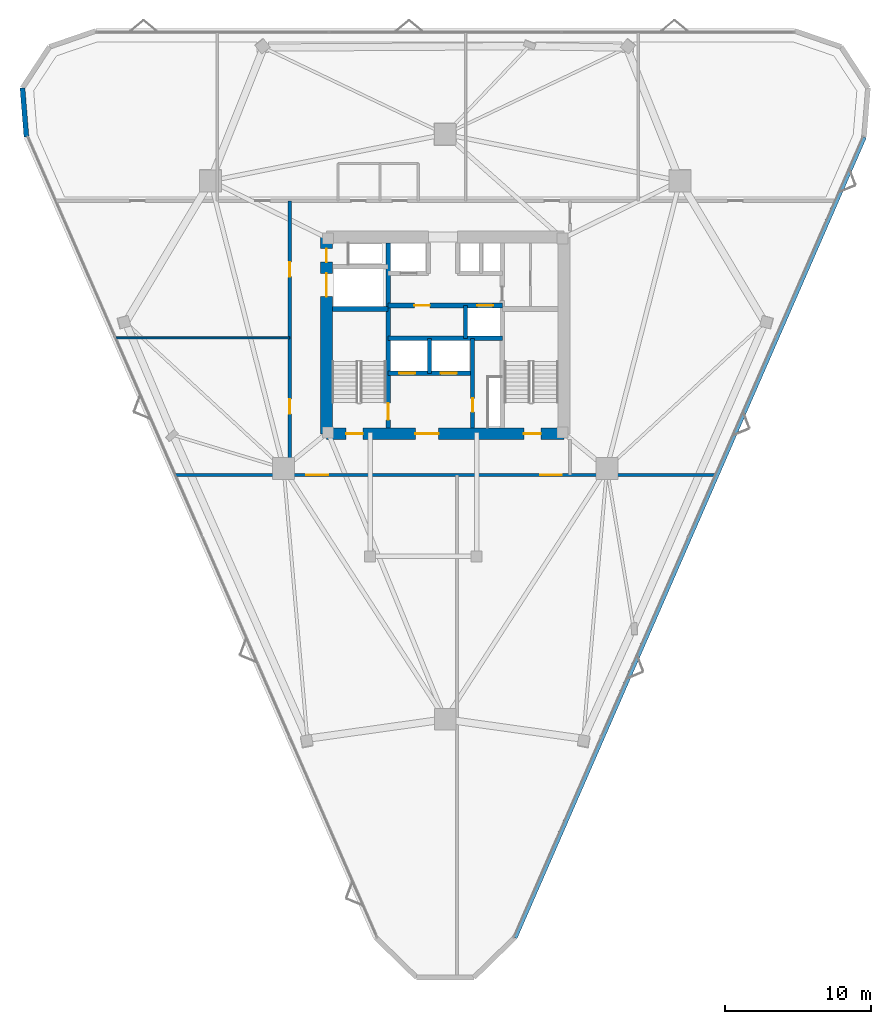
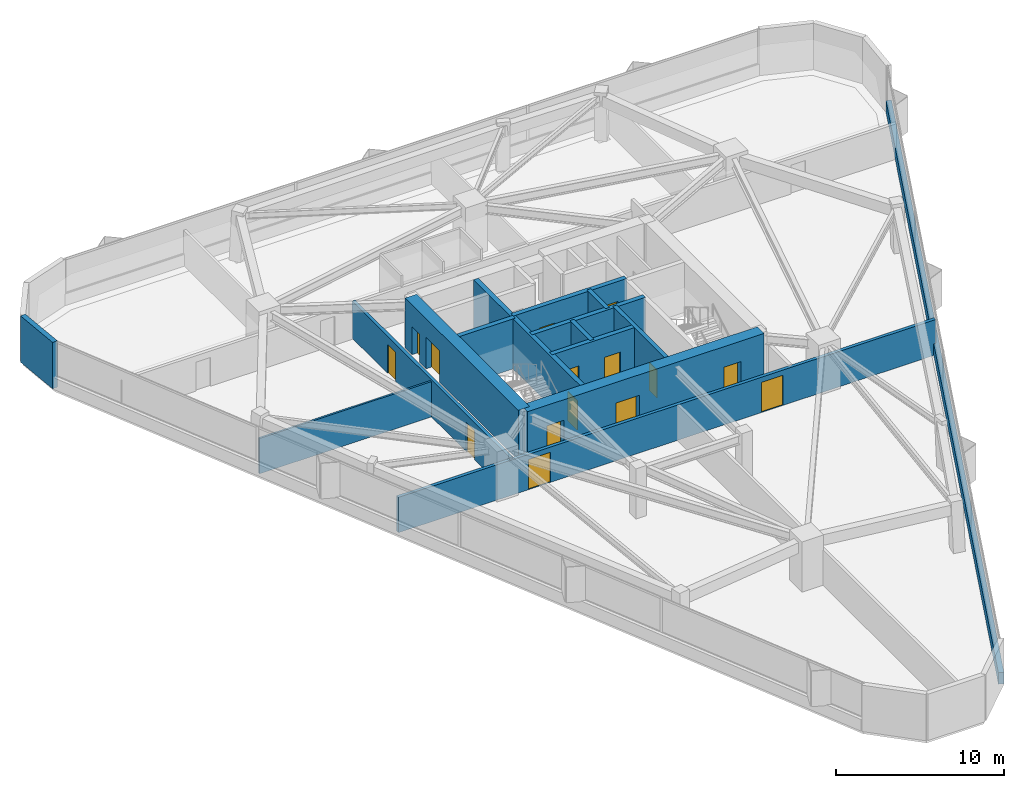
# One storey, part 12 of 16: 15 doors, 15 walls, 15 openings.
"""IFC4 building model written with IfcOpenShell, lengths in metres."""

from ifc_helpers import new_model, si_unit, direction, frame, frame_2d, origin, place, context, subcontext, project, spatial, rectangle, extrude, material, layer, layer_set, type_object, element, fill, save


model = new_model("IFC4")

# Units and contexts
model_context = context("Model", 3, precision=1e-05, world=origin(), true_north=direction((0.0, 1.0)))
body_context = subcontext(model_context, "Body", "Model", "MODEL_VIEW")
ifc_project = project(units=[si_unit("LENGTHUNIT", "METRE"), si_unit("AREAUNIT", "SQUARE_METRE"), si_unit("VOLUMEUNIT", "CUBIC_METRE"), si_unit("PLANEANGLEUNIT", "RADIAN"), si_unit("MASSUNIT", "GRAM", prefix="KILO")], contexts=[model_context])

# Site, building, storey
site_placement = place(None, origin())
site = spatial("IfcSite", under=ifc_project, at=site_placement, CompositionType="ELEMENT")
building_placement = place(site_placement, origin())
building = spatial("IfcBuilding", under=site, at=building_placement, Name="Talyreon Biosciences Tower", CompositionType="ELEMENT")
storey_placement = place(building_placement, frame((0.0, 0.0, 134.5)))
storey = spatial("IfcBuildingStorey", under=building, at=storey_placement, Name="L35", CompositionType="ELEMENT", Elevation=134.5)

# Wall
ifc_material_1 = material(Name="Concrete C50/60", Category="concrete")
ifc_layer_1 = layer(ifc_material_1, 0.280029296875)
ifc_layer_set_1 = layer_set([ifc_layer_1], Name="Concrete C50/60")
wall_type_1 = type_object("IfcWallType", Name="CoreShearWall_280", PredefinedType="SHEAR", material=ifc_layer_set_1)
wall_1_placement = place(storey_placement, frame((64.919921875, 65.39990234375, 0.0), z_axis=(0.0, 0.0, 1.0), x_axis=(0.0, 1.0, 0.0)))
element("IfcWall", 1, at=wall_1_placement, inside=storey, type_object=wall_type_1, Name="L35 Core Shaft Wall SWSHD1", PredefinedType="SHEAR", context=body_context, shape_type="SweptSolid", body=[
    extrude(rectangle(XDim=2.400146484375, YDim=0.280029296875, at=frame_2d((1.2001953125, 0.0))), origin(), (0.0, 0.0, 1.0), 3.64990234375),
])

# Wall, opening, door
wall_2_placement = place(storey_placement, frame((67.8798828125, 61.64990234375, 0.0), z_axis=(0.0, 0.0, 1.0), x_axis=(0.0, 1.0, 0.0)))
wall_2 = element("IfcWall", 2, at=wall_2_placement, inside=storey, type_object=wall_type_1, Name="L35 Core Shaft Wall SWFFE", PredefinedType="SHEAR", context=body_context, shape_type="SweptSolid", body=[
    extrude(rectangle(XDim=6.150146484375, YDim=0.280029296875, at=frame_2d((3.0751953125, 0.0))), origin(), (0.0, 0.0, 1.0), 3.64990234375),
])
opening_1_placement = place(wall_2_placement, frame((1.10009765625, 0.0, 0.0)))
opening_1 = element("IfcOpeningElement", 3, at=opening_1_placement, cuts=wall_2, Name="Opening DR-L35-RSE", PredefinedType="OPENING", context=body_context, shape_type="SweptSolid", body=[
    extrude(rectangle(XDim=0.919921875, YDim=2.050048828125, at=frame_2d((0.4599609375, 1.02490234375))), frame((0.0, 0.14990234375, 0.0), z_axis=(0.0, -1.0, 0.0), x_axis=(1.0, 0.0, 0.0)), (0.0, 0.0, 1.0), 0.300048828125),
])
ifc_material_2 = material(Name="Painted steel fire-rated riser door", Category="steel")
door_type_1 = type_object("IfcDoorType", Name="RiserPlantAccessDoor_920x2050", OperationType="NOTDEFINED", PredefinedType="DOOR", material=ifc_material_2)
door_1_placement = place(opening_1_placement, origin())
door_1 = element("IfcDoor", 4, at=door_1_placement, inside=storey, type_object=door_type_1, Name="L35 Core Door DR-L35-RSE", OperationType="SINGLE_SWING_RIGHT", OverallHeight=2.050048828125, OverallWidth=0.919921875, PredefinedType="DOOR", context=body_context, shape_type="SweptSolid", body=[
    extrude(rectangle(XDim=0.919921875, YDim=2.050048828125, at=frame_2d((0.4599609375, 1.02490234375))), frame((0.0, 0.02490234375, 0.0), z_axis=(0.0, -1.0, 0.0), x_axis=(1.0, 0.0, 0.0)), (0.0, 0.0, 1.0), 0.050048828125),
])
fill(opening_1, door_1)

# Wall
wall_3_placement = place(storey_placement, frame((67.3798828125, 67.800048828125, 0.0), z_axis=(0.0, 0.0, 1.0), x_axis=(0.0, 1.0, 0.0)))
element("IfcWall", 5, at=wall_3_placement, inside=storey, type_object=wall_type_1, Name="L35 Core Shaft Wall SWPMD", PredefinedType="SHEAR", context=body_context, shape_type="SweptSolid", body=[
    extrude(rectangle(XDim=2.25, YDim=0.280029296875, at=frame_2d((1.125, 0.0))), origin(), (0.0, 0.0, 1.0), 3.64990234375),
])

# Wall, opening, door
ifc_layer_2 = layer(ifc_material_1, 0.320068359375)
ifc_layer_set_2 = layer_set([ifc_layer_2], Name="Concrete C50/60")
wall_type_2 = type_object("IfcWallType", Name="CoreShearWall_320", PredefinedType="SHEAR", material=ifc_layer_set_2)
wall_4_placement = place(storey_placement, frame((62.090087890625, 61.64990234375, 0.0), z_axis=(0.0, 0.0, 1.0), x_axis=(0.0, 1.0, 0.0)))
wall_4 = element("IfcWall", 6, at=wall_4_placement, inside=storey, type_object=wall_type_2, Name="L35 Core Shaft Wall SW1E", PredefinedType="SHEAR", context=body_context, shape_type="SweptSolid", body=[
    extrude(rectangle(XDim=12.7001953125, YDim=0.320068359375, at=frame_2d((6.35009765625, 0.0))), origin(), (0.0, 0.0, 1.0), 3.64990234375),
])
opening_2_placement = place(wall_4_placement, frame((0.550048828125, 0.0, 0.0)))
opening_2 = element("IfcOpeningElement", 7, at=opening_2_placement, cuts=wall_4, Name="Opening DR-L35-FF-ST1", PredefinedType="OPENING", context=body_context, shape_type="SweptSolid", body=[
    extrude(rectangle(XDim=1.14990234375, YDim=2.14990234375, at=frame_2d((0.574951171875, 1.074951171875))), frame((0.0, 0.169921875, 0.0), z_axis=(0.0, -1.0, 0.0), x_axis=(1.0, 0.0, 0.0)), (0.0, 0.0, 1.0), 0.340087890625),
])
ifc_material_3 = material(Name="Painted steel fire door", Category="steel")
door_type_2 = type_object("IfcDoorType", Name="StairShaftFireDoor_1150x2150", OperationType="NOTDEFINED", PredefinedType="DOOR", material=ifc_material_3)
door_2_placement = place(opening_2_placement, origin())
door_2 = element("IfcDoor", 8, at=door_2_placement, inside=storey, type_object=door_type_2, Name="L35 Core Door DR-L35-FF-ST1", OperationType="SINGLE_SWING_LEFT", OverallHeight=2.14990234375, OverallWidth=1.14990234375, PredefinedType="DOOR", context=body_context, shape_type="SweptSolid", body=[
    extrude(rectangle(XDim=1.14990234375, YDim=2.14990234375, at=frame_2d((0.574951171875, 1.074951171875))), frame((0.0, 0.02490234375, 0.0), z_axis=(0.0, -1.0, 0.0), x_axis=(1.0, 0.0, 0.0)), (0.0, 0.0, 1.0), 0.050048828125),
])
fill(opening_2, door_2)

# Walls
wall_5_placement = place(storey_placement, frame((58.25, 69.81005859375, 0.0), z_axis=(0.0, 0.0, 1.0), x_axis=(1.0, 0.0, 0.0)))
element("IfcWall", 9, at=wall_5_placement, inside=storey, type_object=wall_type_2, Name="L35 Core Shaft Wall SW1N", PredefinedType="SHEAR", context=body_context, shape_type="SweptSolid", body=[
    extrude(rectangle(XDim=3.840087890625, YDim=0.320068359375, at=frame_2d((1.919921875, 0.0))), origin(), (0.0, 0.0, 1.0), 3.64990234375),
])
wall_6_placement = place(storey_placement, frame((62.090087890625, 67.800048828125, 0.0), z_axis=(0.0, 0.0, 1.0), x_axis=(1.0, 0.0, 0.0)))
element("IfcWall", 10, at=wall_6_placement, inside=storey, type_object=wall_type_2, Name="L35 Core Shaft Wall SWSHM", PredefinedType="SHEAR", context=body_context, shape_type="SweptSolid", body=[
    extrude(rectangle(XDim=7.81982421875, YDim=0.320068359375, at=frame_2d((3.909912109375, 0.0))), origin(), (0.0, 0.0, 1.0), 3.64990234375),
])

# Wall, openings, doors
wall_7_placement = place(storey_placement, frame((62.090087890625, 70.050048828125, 0.0), z_axis=(0.0, 0.0, 1.0), x_axis=(1.0, 0.0, 0.0)))
wall_7 = element("IfcWall", 11, at=wall_7_placement, inside=storey, type_object=wall_type_2, Name="L35 Core Shaft Wall SWSPN", PredefinedType="SHEAR", context=body_context, shape_type="SweptSolid", body=[
    extrude(rectangle(XDim=7.81982421875, YDim=0.320068359375, at=frame_2d((3.909912109375, 0.0))), origin(), (0.0, 0.0, 1.0), 3.64990234375),
])
opening_3_placement = place(wall_7_placement, frame((1.800048828125, 0.0, 0.0)))
opening_3 = element("IfcOpeningElement", 12, at=opening_3_placement, cuts=wall_7, Name="Opening DR-L35-PLFREE-A", PredefinedType="OPENING", context=body_context, shape_type="SweptSolid", body=[
    extrude(rectangle(XDim=1.050048828125, YDim=2.14990234375, at=frame_2d((0.52490234375, 1.074951171875))), frame((0.0, 0.169921875, 0.0), z_axis=(0.0, -1.0, 0.0), x_axis=(1.0, 0.0, 0.0)), (0.0, 0.0, 1.0), 0.340087890625),
])
opening_4_placement = place(wall_7_placement, frame((6.10009765625, 0.0, 0.0)))
opening_4 = element("IfcOpeningElement", 13, at=opening_4_placement, cuts=wall_7, Name="Opening LD-L35-PM1", PredefinedType="OPENING", context=body_context, shape_type="SweptSolid", body=[
    extrude(rectangle(XDim=1.10009765625, YDim=2.199951171875, at=frame_2d((0.550048828125, 1.10009765625))), frame((0.0, 0.169921875, 0.0), z_axis=(0.0, -1.0, 0.0), x_axis=(1.0, 0.0, 0.0)), (0.0, 0.0, 1.0), 0.340087890625),
])
ifc_material_4 = material(Name="Acoustic timber-core laboratory door", Category="wood")
door_type_3 = type_object("IfcDoorType", Name="DryLabSingleDoor_1050x2150", OperationType="NOTDEFINED", PredefinedType="DOOR", material=ifc_material_4)
door_3_placement = place(opening_3_placement, origin())
door_3 = element("IfcDoor", 14, at=door_3_placement, inside=storey, type_object=door_type_3, Name="L35 Core Door DR-L35-PLFREE-A", OperationType="SINGLE_SWING_LEFT", OverallHeight=2.14990234375, OverallWidth=1.050048828125, PredefinedType="DOOR", context=body_context, shape_type="SweptSolid", body=[
    extrude(rectangle(XDim=1.050048828125, YDim=2.14990234375, at=frame_2d((0.52490234375, 1.074951171875))), frame((0.0, 0.02490234375, 0.0), z_axis=(0.0, -1.0, 0.0), x_axis=(1.0, 0.0, 0.0)), (0.0, 0.0, 1.0), 0.050048828125),
])
fill(opening_3, door_3)
ifc_material_5 = material(Name="Brushed stainless-steel lift landing door", Category="steel")
door_type_4 = type_object("IfcDoorType", Name="LiftSlidingLandingDoor_1100x2200", OperationType="SLIDING_TO_LEFT", PredefinedType="DOOR", material=ifc_material_5)
door_4_placement = place(opening_4_placement, origin())
door_4 = element("IfcDoor", 15, at=door_4_placement, inside=storey, type_object=door_type_4, Name="L35 Core Door LD-L35-PM1", OperationType="SLIDING_TO_LEFT", OverallHeight=2.199951171875, OverallWidth=1.10009765625, PredefinedType="DOOR", context=body_context, shape_type="SweptSolid", body=[
    extrude(rectangle(XDim=1.10009765625, YDim=2.199951171875, at=frame_2d((0.550048828125, 1.10009765625))), frame((0.0, 0.02490234375, 0.0), z_axis=(0.0, -1.0, 0.0), x_axis=(1.0, 0.0, 0.0)), (0.0, 0.0, 1.0), 0.050048828125),
])
fill(opening_4, door_4)

wall_8_placement = place(storey_placement, frame((62.090087890625, 65.39990234375, 0.0), z_axis=(0.0, 0.0, 1.0), x_axis=(1.0, 0.0, 0.0)))
wall_8 = element("IfcWall", 16, at=wall_8_placement, inside=storey, type_object=wall_type_2, Name="L35 Core Shaft Wall SWFFN", PredefinedType="SHEAR", context=body_context, shape_type="SweptSolid", body=[
    extrude(rectangle(XDim=5.789794921875, YDim=0.320068359375, at=frame_2d((2.89501953125, 0.0))), origin(), (0.0, 0.0, 1.0), 3.64990234375),
])
opening_5_placement = place(wall_8_placement, frame((0.75, 0.0, 0.0)))
opening_5 = element("IfcOpeningElement", 17, at=opening_5_placement, cuts=wall_8, Name="Opening LD-L35-FL1", PredefinedType="OPENING", context=body_context, shape_type="SweptSolid", body=[
    extrude(rectangle(XDim=1.10009765625, YDim=2.199951171875, at=frame_2d((0.550048828125, 1.10009765625))), frame((0.0, 0.169921875, 0.0), z_axis=(0.0, -1.0, 0.0), x_axis=(1.0, 0.0, 0.0)), (0.0, 0.0, 1.0), 0.340087890625),
])
opening_6_placement = place(wall_8_placement, frame((3.60009765625, 0.0, 0.0)))
opening_6 = element("IfcOpeningElement", 18, at=opening_6_placement, cuts=wall_8, Name="Opening LD-L35-FL2", PredefinedType="OPENING", context=body_context, shape_type="SweptSolid", body=[
    extrude(rectangle(XDim=1.10009765625, YDim=2.199951171875, at=frame_2d((0.550048828125, 1.10009765625))), frame((0.0, 0.169921875, 0.0), z_axis=(0.0, -1.0, 0.0), x_axis=(1.0, 0.0, 0.0)), (0.0, 0.0, 1.0), 0.340087890625),
])
door_5_placement = place(opening_5_placement, origin())
door_5 = element("IfcDoor", 19, at=door_5_placement, inside=storey, type_object=door_type_4, Name="L35 Core Door LD-L35-FL1", OperationType="SLIDING_TO_LEFT", OverallHeight=2.199951171875, OverallWidth=1.10009765625, PredefinedType="DOOR", context=body_context, shape_type="SweptSolid", body=[
    extrude(rectangle(XDim=1.10009765625, YDim=2.199951171875, at=frame_2d((0.550048828125, 1.10009765625))), frame((0.0, 0.02490234375, 0.0), z_axis=(0.0, -1.0, 0.0), x_axis=(1.0, 0.0, 0.0)), (0.0, 0.0, 1.0), 0.050048828125),
])
fill(opening_5, door_5)
door_6_placement = place(opening_6_placement, origin())
door_6 = element("IfcDoor", 20, at=door_6_placement, inside=storey, type_object=door_type_4, Name="L35 Core Door LD-L35-FL2", OperationType="SLIDING_TO_LEFT", OverallHeight=2.199951171875, OverallWidth=1.10009765625, PredefinedType="DOOR", context=body_context, shape_type="SweptSolid", body=[
    extrude(rectangle(XDim=1.10009765625, YDim=2.199951171875, at=frame_2d((0.550048828125, 1.10009765625))), frame((0.0, 0.02490234375, 0.0), z_axis=(0.0, -1.0, 0.0), x_axis=(1.0, 0.0, 0.0)), (0.0, 0.0, 1.0), 0.050048828125),
])
fill(opening_6, door_6)

ifc_material_6 = material(Name="Concrete C60/75", Category="concrete")
ifc_layer_3 = layer(ifc_material_6, 0.800048828125)
ifc_layer_set_3 = layer_set([ifc_layer_3], Name="Concrete C60/75")
wall_type_3 = type_object("IfcWallType", Name="CoreShearWall_800", PredefinedType="SHEAR", material=ifc_layer_set_3)
wall_9_placement = place(storey_placement, frame((57.85009765625, 61.25, 0.0), z_axis=(0.0, 0.0, 1.0), x_axis=(1.0, 0.0, 0.0)))
wall_9 = element("IfcWall", 21, at=wall_9_placement, inside=storey, type_object=wall_type_3, Name="L35 Core Shear Wall S", PredefinedType="SHEAR", context=body_context, shape_type="SweptSolid", body=[
    extrude(rectangle(XDim=16.2998046875, YDim=0.800048828125, at=frame_2d((8.14990234375, 0.0))), origin(), (0.0, 0.0, 1.0), 3.64990234375),
])
opening_7_placement = place(wall_9_placement, frame((1.35009765625, 0.0, 0.0)))
opening_7 = element("IfcOpeningElement", 22, at=opening_7_placement, cuts=wall_9, Name="Opening DR-L35-ST1", PredefinedType="OPENING", context=body_context, shape_type="SweptSolid", body=[
    extrude(rectangle(XDim=1.14990234375, YDim=2.14990234375, at=frame_2d((0.574951171875, 1.074951171875))), frame((0.0, 0.409912109375, 0.0), z_axis=(0.0, -1.0, 0.0), x_axis=(1.0, 0.0, 0.0)), (0.0, 0.0, 1.0), 0.820068359375),
])
opening_8_placement = place(wall_9_placement, frame((6.10009765625, 0.0, 0.0)))
opening_8 = element("IfcOpeningElement", 23, at=opening_8_placement, cuts=wall_9, Name="Opening DR-L35-FFL", PredefinedType="OPENING", context=body_context, shape_type="SweptSolid", body=[
    extrude(rectangle(XDim=1.60009765625, YDim=2.14990234375, at=frame_2d((0.800048828125, 1.074951171875))), frame((0.0, 0.409912109375, 0.0), z_axis=(0.0, -1.0, 0.0), x_axis=(1.0, 0.0, 0.0)), (0.0, 0.0, 1.0), 0.820068359375),
])
opening_9_placement = place(wall_9_placement, frame((13.550048828125, 0.0, 0.0)))
opening_9 = element("IfcOpeningElement", 24, at=opening_9_placement, cuts=wall_9, Name="Opening DR-L35-ST2", PredefinedType="OPENING", context=body_context, shape_type="SweptSolid", body=[
    extrude(rectangle(XDim=1.14990234375, YDim=2.14990234375, at=frame_2d((0.574951171875, 1.074951171875))), frame((0.0, 0.409912109375, 0.0), z_axis=(0.0, -1.0, 0.0), x_axis=(1.0, 0.0, 0.0)), (0.0, 0.0, 1.0), 0.820068359375),
])
ifc_material_7 = material(Name="Painted steel smoke-seal fire door", Category="steel")
door_type_5 = type_object("IfcDoorType", Name="FirefightingLobbyDoubleDoor_1600x2150", OperationType="DOUBLE_DOOR_SINGLE_SWING", PredefinedType="DOOR", material=ifc_material_7)
door_7_placement = place(opening_8_placement, origin())
door_7 = element("IfcDoor", 25, at=door_7_placement, inside=storey, type_object=door_type_5, Name="L35 Core Door DR-L35-FFL", OperationType="DOUBLE_DOOR_SINGLE_SWING", OverallHeight=2.14990234375, OverallWidth=1.60009765625, PredefinedType="DOOR", context=body_context, shape_type="SweptSolid", body=[
    extrude(rectangle(XDim=1.60009765625, YDim=2.14990234375, at=frame_2d((0.800048828125, 1.074951171875))), frame((0.0, 0.02490234375, 0.0), z_axis=(0.0, -1.0, 0.0), x_axis=(1.0, 0.0, 0.0)), (0.0, 0.0, 1.0), 0.050048828125),
])
fill(opening_8, door_7)
door_8_placement = place(opening_7_placement, origin())
door_8 = element("IfcDoor", 26, at=door_8_placement, inside=storey, type_object=door_type_2, Name="L35 Core Door DR-L35-ST1", OperationType="SINGLE_SWING_LEFT", OverallHeight=2.14990234375, OverallWidth=1.14990234375, PredefinedType="DOOR", context=body_context, shape_type="SweptSolid", body=[
    extrude(rectangle(XDim=1.14990234375, YDim=2.14990234375, at=frame_2d((0.574951171875, 1.074951171875))), frame((0.0, 0.02490234375, 0.0), z_axis=(0.0, -1.0, 0.0), x_axis=(1.0, 0.0, 0.0)), (0.0, 0.0, 1.0), 0.050048828125),
])
fill(opening_7, door_8)
door_9_placement = place(opening_9_placement, origin())
door_9 = element("IfcDoor", 27, at=door_9_placement, inside=storey, type_object=door_type_2, Name="L35 Core Door DR-L35-ST2", OperationType="SINGLE_SWING_RIGHT", OverallHeight=2.14990234375, OverallWidth=1.14990234375, PredefinedType="DOOR", context=body_context, shape_type="SweptSolid", body=[
    extrude(rectangle(XDim=1.14990234375, YDim=2.14990234375, at=frame_2d((0.574951171875, 1.074951171875))), frame((0.0, 0.02490234375, 0.0), z_axis=(0.0, -1.0, 0.0), x_axis=(1.0, 0.0, 0.0)), (0.0, 0.0, 1.0), 0.050048828125),
])
fill(opening_9, door_9)

wall_10_placement = place(storey_placement, frame((57.85009765625, 74.75, 0.0), z_axis=(0.0, 0.0, 1.0), x_axis=(0.0, -1.0, 0.0)))
wall_10 = element("IfcWall", 28, at=wall_10_placement, inside=storey, type_object=wall_type_3, Name="L35 Core Shear Wall W", PredefinedType="SHEAR", context=body_context, shape_type="SweptSolid", body=[
    extrude(rectangle(XDim=13.5, YDim=0.800048828125, at=frame_2d((6.75, 0.0))), origin(), (0.0, 0.0, 1.0), 3.64990234375),
])
opening_10_placement = place(wall_10_placement, frame((0.800048828125, 0.0, 0.0)))
opening_10 = element("IfcOpeningElement", 29, at=opening_10_placement, cuts=wall_10, Name="Opening DR-L35-RSW", PredefinedType="OPENING", context=body_context, shape_type="SweptSolid", body=[
    extrude(rectangle(XDim=0.919921875, YDim=2.050048828125, at=frame_2d((0.4599609375, 1.02490234375))), frame((0.0, 0.409912109375, 0.0), z_axis=(0.0, -1.0, 0.0), x_axis=(1.0, 0.0, 0.0)), (0.0, 0.0, 1.0), 0.820068359375),
])
opening_11_placement = place(wall_10_placement, frame((2.5, 0.0, 0.0)))
opening_11 = element("IfcOpeningElement", 30, at=opening_11_placement, cuts=wall_10, Name="Opening LD-L35-GL1", PredefinedType="OPENING", context=body_context, shape_type="SweptSolid", body=[
    extrude(rectangle(XDim=1.60009765625, YDim=2.300048828125, at=frame_2d((0.800048828125, 1.14990234375))), frame((0.0, 0.409912109375, 0.0), z_axis=(0.0, -1.0, 0.0), x_axis=(1.0, 0.0, 0.0)), (0.0, 0.0, 1.0), 0.820068359375),
])
ifc_material_8 = material(Name="Heavy-duty stainless-steel goods lift door", Category="steel")
door_type_6 = type_object("IfcDoorType", Name="GoodsLiftSlidingDoor_1600x2300", OperationType="DOUBLE_DOOR_SLIDING", PredefinedType="DOOR", material=ifc_material_8)
door_10_placement = place(opening_11_placement, origin())
door_10 = element("IfcDoor", 31, at=door_10_placement, inside=storey, type_object=door_type_6, Name="L35 Core Door LD-L35-GL1", OperationType="DOUBLE_DOOR_SLIDING", OverallHeight=2.300048828125, OverallWidth=1.60009765625, PredefinedType="DOOR", context=body_context, shape_type="SweptSolid", body=[
    extrude(rectangle(XDim=1.60009765625, YDim=2.300048828125, at=frame_2d((0.800048828125, 1.14990234375))), frame((0.0, 0.02490234375, 0.0), z_axis=(0.0, -1.0, 0.0), x_axis=(1.0, 0.0, 0.0)), (0.0, 0.0, 1.0), 0.050048828125),
])
fill(opening_11, door_10)
door_11_placement = place(opening_10_placement, origin())
door_11 = element("IfcDoor", 32, at=door_11_placement, inside=storey, type_object=door_type_1, Name="L35 Core Door DR-L35-RSW", OperationType="SINGLE_SWING_LEFT", OverallHeight=2.050048828125, OverallWidth=0.919921875, PredefinedType="DOOR", context=body_context, shape_type="SweptSolid", body=[
    extrude(rectangle(XDim=0.919921875, YDim=2.050048828125, at=frame_2d((0.4599609375, 1.02490234375))), frame((0.0, 0.02490234375, 0.0), z_axis=(0.0, -1.0, 0.0), x_axis=(1.0, 0.0, 0.0)), (0.0, 0.0, 1.0), 0.050048828125),
])
fill(opening_10, door_11)

ifc_material_9 = material(Name="Gypsum fireboard acoustic stud", Category="gypsum")
ifc_layer_4 = layer(ifc_material_9, 0.219970703125)
ifc_layer_set_4 = layer_set([ifc_layer_4], Name="Gypsum fireboard acoustic stud")
wall_type_4 = type_object("IfcWallType", Name="CorridorRatedPartition_220", PredefinedType="PARTITIONING", material=ifc_layer_set_4)
wall_11_placement = place(storey_placement, frame((47.48486328125, 58.419921875, 0.0), z_axis=(0.0, 0.0, 1.0), x_axis=(1.0, 0.0, 0.0)))
wall_11 = element("IfcWall", 33, at=wall_11_placement, inside=storey, type_object=wall_type_4, Name="L35 Interior Wall IW-L35-COR-S", PredefinedType="PARTITIONING", context=body_context, shape_type="SweptSolid", body=[
    extrude(rectangle(XDim=37.0302734375, YDim=0.219970703125, at=frame_2d((18.51513671875, 0.0))), origin(), (0.0, 0.0, 1.0), 2.574951171875),
])
opening_12_placement = place(wall_11_placement, frame((8.98291015625, 0.0, 0.0)))
opening_12 = element("IfcOpeningElement", 34, at=opening_12_placement, cuts=wall_11, Name="Opening DR-L35-S1A", PredefinedType="OPENING", context=body_context, shape_type="SweptSolid", body=[
    extrude(rectangle(XDim=1.5, YDim=2.199951171875, at=frame_2d((0.75, 1.10009765625))), frame((0.0, 0.119873046875, 0.0), z_axis=(0.0, -1.0, 0.0), x_axis=(1.0, 0.0, 0.0)), (0.0, 0.0, 1.0), 0.239990234375),
])
opening_13_placement = place(wall_11_placement, frame((25.01904296875, 0.0, 0.0)))
opening_13 = element("IfcOpeningElement", 35, at=opening_13_placement, cuts=wall_11, Name="Opening DR-L35-S2A", PredefinedType="OPENING", context=body_context, shape_type="SweptSolid", body=[
    extrude(rectangle(XDim=1.5, YDim=2.199951171875, at=frame_2d((0.75, 1.10009765625))), frame((0.0, 0.119873046875, 0.0), z_axis=(0.0, -1.0, 0.0), x_axis=(1.0, 0.0, 0.0)), (0.0, 0.0, 1.0), 0.239990234375),
])
ifc_material_10 = material(Name="Vision-panel steel laboratory fire door", Category="steel")
door_type_7 = type_object("IfcDoorType", Name="WetLabDoubleLeafDoor_1500x2200", OperationType="DOUBLE_DOOR_SINGLE_SWING", PredefinedType="DOOR", material=ifc_material_10)
door_12_placement = place(opening_12_placement, origin())
door_12 = element("IfcDoor", 36, at=door_12_placement, inside=storey, type_object=door_type_7, Name="L35 Interior Door DR-L35-S1A", OperationType="DOUBLE_DOOR_SINGLE_SWING", OverallHeight=2.199951171875, OverallWidth=1.5, PredefinedType="DOOR", context=body_context, shape_type="SweptSolid", body=[
    extrude(rectangle(XDim=1.5, YDim=2.199951171875, at=frame_2d((0.75, 1.10009765625))), frame((0.0, 0.02490234375, 0.0), z_axis=(0.0, -1.0, 0.0), x_axis=(1.0, 0.0, 0.0)), (0.0, 0.0, 1.0), 0.050048828125),
])
fill(opening_12, door_12)
door_13_placement = place(opening_13_placement, origin())
door_13 = element("IfcDoor", 37, at=door_13_placement, inside=storey, type_object=door_type_7, Name="L35 Interior Door DR-L35-S2A", OperationType="DOUBLE_DOOR_SINGLE_SWING", OverallHeight=2.199951171875, OverallWidth=1.5, PredefinedType="DOOR", context=body_context, shape_type="SweptSolid", body=[
    extrude(rectangle(XDim=1.5, YDim=2.199951171875, at=frame_2d((0.75, 1.10009765625))), frame((0.0, 0.02490234375, 0.0), z_axis=(0.0, -1.0, 0.0), x_axis=(1.0, 0.0, 0.0)), (0.0, 0.0, 1.0), 0.050048828125),
])
fill(opening_13, door_13)

wall_12_placement = place(storey_placement, frame((55.330078125, 58.419921875, 0.0), z_axis=(0.0, 0.0, 1.0), x_axis=(0.0, 1.0, 0.0)))
wall_12 = element("IfcWall", 38, at=wall_12_placement, inside=storey, type_object=wall_type_4, Name="L35 Interior Wall IW-L35-COR-W", PredefinedType="PARTITIONING", context=body_context, shape_type="SweptSolid", body=[
    extrude(rectangle(XDim=18.81005859375, YDim=0.219970703125, at=frame_2d((9.405029296875, 0.0))), origin(), (0.0, 0.0, 1.0), 2.705078125),
])
opening_14_placement = place(wall_12_placement, frame((4.202880859375, 0.0, 0.0)))
opening_14 = element("IfcOpeningElement", 39, at=opening_14_placement, cuts=wall_12, Name="Opening DR-L35-W1A", PredefinedType="OPENING", context=body_context, shape_type="SweptSolid", body=[
    extrude(rectangle(XDim=1.0, YDim=2.10009765625, at=frame_2d((0.5, 1.050048828125))), frame((0.0, 0.119873046875, 0.0), z_axis=(0.0, -1.0, 0.0), x_axis=(1.0, 0.0, 0.0)), (0.0, 0.0, 1.0), 0.239990234375),
])
opening_15_placement = place(wall_12_placement, frame((13.60791015625, 0.0, 0.0)))
opening_15 = element("IfcOpeningElement", 40, at=opening_15_placement, cuts=wall_12, Name="Opening DR-L35-W2A", PredefinedType="OPENING", context=body_context, shape_type="SweptSolid", body=[
    extrude(rectangle(XDim=1.0, YDim=2.10009765625, at=frame_2d((0.5, 1.050048828125))), frame((0.0, 0.119873046875, 0.0), z_axis=(0.0, -1.0, 0.0), x_axis=(1.0, 0.0, 0.0)), (0.0, 0.0, 1.0), 0.239990234375),
])
ifc_material_11 = material(Name="Acoustic oak veneer office door", Category="wood")
door_type_8 = type_object("IfcDoorType", Name="WriteupOfficeDoor_1000x2100", OperationType="NOTDEFINED", PredefinedType="DOOR", material=ifc_material_11)
door_14_placement = place(opening_14_placement, origin())
door_14 = element("IfcDoor", 41, at=door_14_placement, inside=storey, type_object=door_type_8, Name="L35 Interior Door DR-L35-W1A", OperationType="SINGLE_SWING_LEFT", OverallHeight=2.10009765625, OverallWidth=1.0, PredefinedType="DOOR", context=body_context, shape_type="SweptSolid", body=[
    extrude(rectangle(XDim=1.0, YDim=2.10009765625, at=frame_2d((0.5, 1.050048828125))), frame((0.0, 0.02490234375, 0.0), z_axis=(0.0, -1.0, 0.0), x_axis=(1.0, 0.0, 0.0)), (0.0, 0.0, 1.0), 0.050048828125),
])
fill(opening_14, door_14)
door_15_placement = place(opening_15_placement, origin())
door_15 = element("IfcDoor", 42, at=door_15_placement, inside=storey, type_object=door_type_8, Name="L35 Interior Door DR-L35-W2A", OperationType="SINGLE_SWING_LEFT", OverallHeight=2.10009765625, OverallWidth=1.0, PredefinedType="DOOR", context=body_context, shape_type="SweptSolid", body=[
    extrude(rectangle(XDim=1.0, YDim=2.10009765625, at=frame_2d((0.5, 1.050048828125))), frame((0.0, 0.02490234375, 0.0), z_axis=(0.0, -1.0, 0.0), x_axis=(1.0, 0.0, 0.0)), (0.0, 0.0, 1.0), 0.050048828125),
])
fill(opening_15, door_15)

# Walls
ifc_material_12 = material(Name="Gypsum acoustic stud partition", Category="gypsum")
ifc_layer_5 = layer(ifc_material_12, 0.1298828125)
ifc_layer_set_5 = layer_set([ifc_layer_5], Name="Gypsum acoustic stud partition")
wall_type_5 = type_object("IfcWallType", Name="OfficeWriteupPartition_130", PredefinedType="PARTITIONING", material=ifc_layer_set_5)
wall_13_placement = place(storey_placement, frame((43.381591796875, 67.824951171875, 0.0), z_axis=(0.0, 0.0, 1.0), x_axis=(1.0, 0.0, 0.0)))
element("IfcWall", 43, at=wall_13_placement, inside=storey, type_object=wall_type_5, Name="L35 Interior Wall IW-L35-WDIV1", PredefinedType="PARTITIONING", context=body_context, shape_type="SweptSolid", body=[
    extrude(rectangle(XDim=11.948486328125, YDim=0.1298828125, at=frame_2d((5.97412109375, 0.0))), origin(), (0.0, 0.0, 1.0), 2.574951171875),
])
ifc_material_13 = material(Name="Precast concrete C45/55", Category="concrete")
ifc_layer_6 = layer(ifc_material_13, 0.340087890625)
ifc_layer_set_6 = layer_set([ifc_layer_6], Name="Precast concrete C45/55")
wall_type_6 = type_object("IfcWallType", Name="PrecastConcreteSpandrelWall_340", PredefinedType="STANDARD", material=ifc_layer_set_6)
wall_14_placement = place(storey_placement, frame((37.276123046875, 81.606689453125, 0.0), z_axis=(0.0, 0.0, 1.0), x_axis=(-0.080901359233, 0.996722112765, 0.0)))
element("IfcWall", 44, at=wall_14_placement, inside=storey, type_object=wall_type_6, Name="L35 Rounded-Corner Concrete Pier 01", PredefinedType="STANDARD", context=body_context, shape_type="SweptSolid", body=[
    extrude(rectangle(XDim=3.373779296875, YDim=0.340087890625, at=frame_2d((1.68701171875, 0.0))), origin(), (0.0, 0.0, 1.0), 3.375),
])
wall_15_placement = place(storey_placement, frame((94.723876953125, 81.606689453125, 0.0), z_axis=(0.0, 0.0, 1.0), x_axis=(-0.399884020411, -0.916565747898, 0.0)))
element("IfcWall", 45, at=wall_15_placement, inside=storey, type_object=wall_type_6, Name="L35 Expressed Concrete Sill Wall 08", PredefinedType="STANDARD", context=body_context, shape_type="SweptSolid", body=[
    extrude(rectangle(XDim=59.911865234375, YDim=0.340087890625, at=frame_2d((29.9560546875, 0.0))), origin(), (0.0, 0.0, 1.0), 0.85009765625),
])

save(model, "model.ifc")
